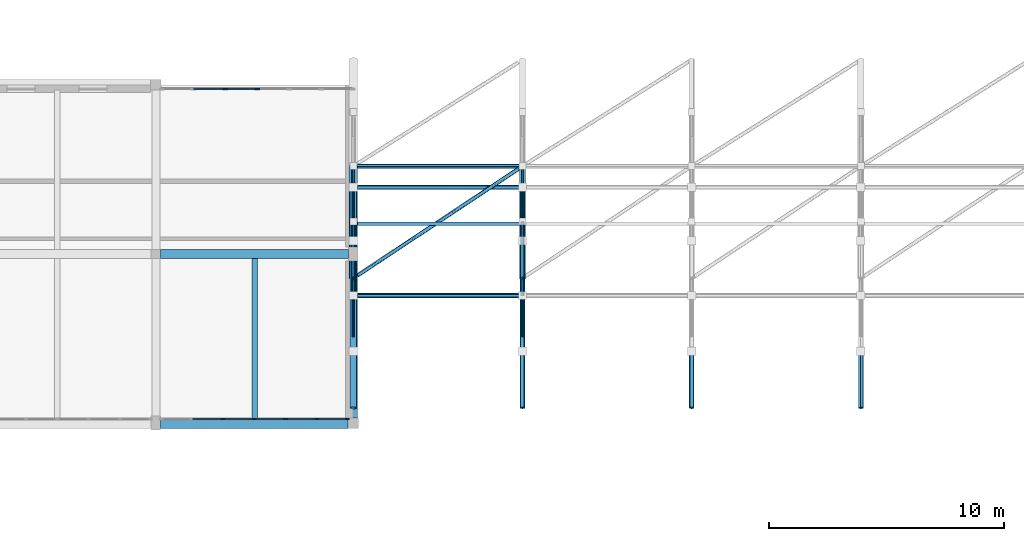
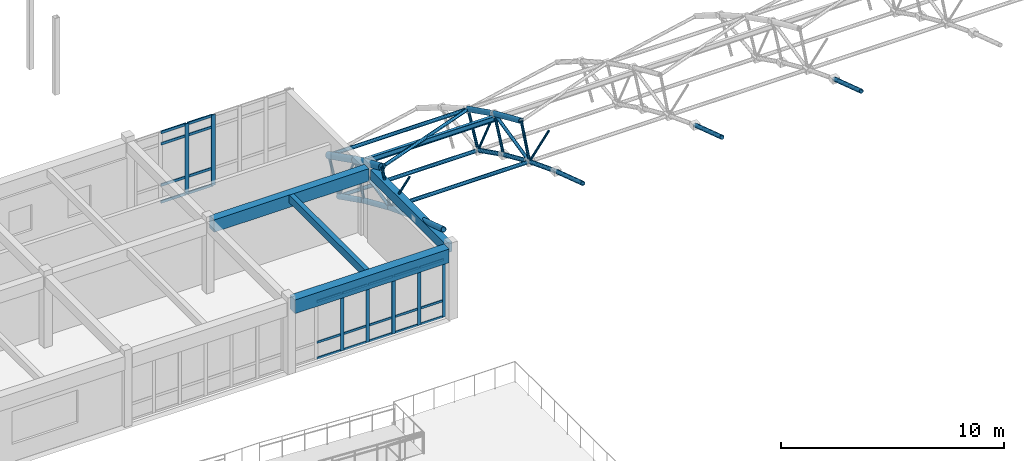
# One storey, part 55 of 89: 61 members, 4 beams, 2 elements without a shape of their own.
"""IFC4 building model written with IfcOpenShell, lengths in metres."""

from ifc_helpers import new_model, si_unit, direction, frame, origin, origin_2d, place, context, subcontext, project, spatial, rectangle, hollow_circle, i_section, extrude, material, material_profile, profile_set, type_object, element, aggregate, save


model = new_model("IFC4")

# Units and contexts
model_context = context("Model", 3, precision=1e-05, world=origin(), true_north=direction((0.0, 1.0)))
body_context = subcontext(model_context, "Body", "Model", "MODEL_VIEW")
ifc_project = project(units=[si_unit("LENGTHUNIT", "METRE"), si_unit("AREAUNIT", "SQUARE_METRE"), si_unit("VOLUMEUNIT", "CUBIC_METRE"), si_unit("PLANEANGLEUNIT", "RADIAN"), si_unit("MASSUNIT", "GRAM", prefix="KILO")], contexts=[model_context])

# Site, building, storey
site_placement = place(None, origin())
site = spatial("IfcSite", under=ifc_project, at=site_placement, CompositionType="ELEMENT")
building_placement = place(site_placement, origin())
building = spatial("IfcBuilding", under=site, at=building_placement, Name="Malvenik Polytechnic", CompositionType="ELEMENT")
storey_placement = place(building_placement, frame((0.0, 0.0, 13.5)))
storey = spatial("IfcBuildingStorey", under=building, at=storey_placement, Name="L03", CompositionType="ELEMENT", Elevation=13.5)

# Curtain wall, members
ifc_material_1 = material(Name="Anodised aluminium 6060-T6", Category="aluminium")
curtain_wall_type_1 = type_object("IfcCurtainWallType", Name="ARC-CW-CW-02", PredefinedType="NOTDEFINED", material=ifc_material_1)
curtain_wall_1_placement = place(storey_placement, origin())
curtain_wall_1 = element("IfcCurtainWall", 1, at=curtain_wall_1_placement, inside=storey, type_object=curtain_wall_type_1, Name="Unitised Curtain Wall CW-02 L03 #193", PredefinedType="NOTDEFINED")
ifc_material_2 = material(Name="Anodised aluminium", Category="aluminium")
ifc_material_profile_1 = material_profile(ifc_material_2, rectangle(XDim=0.06005859375, YDim=0.179931640625, at=origin_2d()), Name="ALU MULLION 60x180")
ifc_profile_set_1 = profile_set([ifc_material_profile_1], Name="Anodised aluminium")
member_type_1 = type_object("IfcMemberType", Name="ARC-CWM-180", PredefinedType="MULLION", material=ifc_profile_set_1)
member_1_placement = place(storey_placement, frame((134.14697265625, 79.3701171875, 0.0), z_axis=(0.0, 0.0, 1.0), x_axis=(0.0, -1.0, 0.0)))
member_1 = element("IfcMember", 2, at=member_1_placement, type_object=member_type_1, Name="CW-02 mullion 1", PredefinedType="MULLION", context=body_context, shape_type="SweptSolid", body=[
    extrude(rectangle(XDim=0.06005859375, YDim=0.179931640625, at=origin_2d()), origin(), (0.0, 0.0, 1.0), 3.159912109375),
])
member_2_placement = place(storey_placement, frame((132.84716796875, 79.3701171875, 0.0), z_axis=(0.0, 0.0, 1.0), x_axis=(0.0, -1.0, 0.0)))
member_2 = element("IfcMember", 3, at=member_2_placement, type_object=member_type_1, Name="CW-02 mullion 2", PredefinedType="MULLION", context=body_context, shape_type="SweptSolid", body=[
    extrude(rectangle(XDim=0.06005859375, YDim=0.179931640625, at=origin_2d()), origin(), (0.0, 0.0, 1.0), 3.159912109375),
])
member_3_placement = place(storey_placement, frame((131.517333984375, 79.3701171875, 0.0), z_axis=(0.0, 0.0, 1.0), x_axis=(0.0, -1.0, 0.0)))
member_3 = element("IfcMember", 4, at=member_3_placement, type_object=member_type_1, Name="CW-02 mullion 3", PredefinedType="MULLION", context=body_context, shape_type="SweptSolid", body=[
    extrude(rectangle(XDim=0.06005859375, YDim=0.179931640625, at=origin_2d()), origin(), (0.0, 0.0, 1.0), 3.159912109375),
])
member_4_placement = place(storey_placement, frame((130.1875, 79.3701171875, 0.0), z_axis=(0.0, 0.0, 1.0), x_axis=(0.0, -1.0, 0.0)))
member_4 = element("IfcMember", 5, at=member_4_placement, type_object=member_type_1, Name="CW-02 mullion 4", PredefinedType="MULLION", context=body_context, shape_type="SweptSolid", body=[
    extrude(rectangle(XDim=0.06005859375, YDim=0.179931640625, at=origin_2d()), origin(), (0.0, 0.0, 1.0), 3.159912109375),
])
member_5_placement = place(storey_placement, frame((128.857666015625, 79.3701171875, 0.0), z_axis=(0.0, 0.0, 1.0), x_axis=(0.0, -1.0, 0.0)))
member_5 = element("IfcMember", 6, at=member_5_placement, type_object=member_type_1, Name="CW-02 mullion 5", PredefinedType="MULLION", context=body_context, shape_type="SweptSolid", body=[
    extrude(rectangle(XDim=0.06005859375, YDim=0.179931640625, at=origin_2d()), origin(), (0.0, 0.0, 1.0), 3.159912109375),
])

curtain_wall_type_2 = type_object("IfcCurtainWallType", Name="ARC-CW-CW-01", PredefinedType="NOTDEFINED", material=ifc_material_1)
curtain_wall_2_placement = place(storey_placement, origin())
curtain_wall_2 = element("IfcCurtainWall", 7, at=curtain_wall_2_placement, inside=storey, type_object=curtain_wall_type_2, Name="Unitised Curtain Wall CW-01 L03 #192", PredefinedType="NOTDEFINED")
ifc_material_profile_2 = material_profile(ifc_material_2, rectangle(XDim=0.06005859375, YDim=0.199951171875, at=origin_2d()), Name="ALU MULLION 60x200")
ifc_profile_set_2 = profile_set([ifc_material_profile_2], Name="Anodised aluminium")
member_type_2 = type_object("IfcMemberType", Name="ARC-CWM-200", PredefinedType="MULLION", material=ifc_profile_set_2)
member_6_placement = place(storey_placement, frame((128.94873046875, 93.429931640625, 0.0), z_axis=(0.0, 0.0, 1.0), x_axis=(0.0, 1.0, 0.0)))
member_6 = element("IfcMember", 8, at=member_6_placement, type_object=member_type_2, Name="CW-01 mullion 3", PredefinedType="MULLION", context=body_context, shape_type="SweptSolid", body=[
    extrude(rectangle(XDim=0.06005859375, YDim=0.199951171875, at=origin_2d()), origin(), (0.0, 0.0, 1.0), 3.860107421875),
])
member_7_placement = place(storey_placement, frame((130.3115234375, 93.429931640625, 0.0), z_axis=(0.0, 0.0, 1.0), x_axis=(0.0, 1.0, 0.0)))
member_7 = element("IfcMember", 9, at=member_7_placement, type_object=member_type_2, Name="CW-01 mullion 4", PredefinedType="MULLION", context=body_context, shape_type="SweptSolid", body=[
    extrude(rectangle(XDim=0.06005859375, YDim=0.199951171875, at=origin_2d()), origin(), (0.0, 0.0, 1.0), 3.860107421875),
])

# Member
ifc_material_profile_3 = material_profile(ifc_material_2, rectangle(XDim=0.06005859375, YDim=0.1201171875, at=origin_2d()), Name="ALU TRANSOM 60x120")
ifc_profile_set_3 = profile_set([ifc_material_profile_3], Name="Anodised aluminium")
member_type_3 = type_object("IfcMemberType", Name="ARC-CWT-120", PredefinedType="USERDEFINED", material=ifc_profile_set_3)
member_8_placement = place(storey_placement, frame((134.116943359375, 79.3701171875, 0.030029296875), z_axis=(-1.0, 0.0, 0.0), x_axis=(0.0, -1.0, 0.0)))
member_8 = element("IfcMember", 10, at=member_8_placement, type_object=member_type_3, Name="CW-02 transom 1.1", ObjectType="TRANSOM", PredefinedType="USERDEFINED", context=body_context, shape_type="SweptSolid", body=[
    extrude(rectangle(XDim=0.06005859375, YDim=0.1201171875, at=origin_2d()), origin(), (0.0, 0.0, 1.0), 1.23974609375),
])

member_9_placement = place(storey_placement, frame((134.116943359375, 79.3701171875, 0.89990234375), z_axis=(-1.0, 0.0, 0.0), x_axis=(0.0, -1.0, 0.0)))
member_9 = element("IfcMember", 11, at=member_9_placement, type_object=member_type_3, Name="CW-02 transom 1.2", ObjectType="TRANSOM", PredefinedType="USERDEFINED", context=body_context, shape_type="SweptSolid", body=[
    extrude(rectangle(XDim=0.06005859375, YDim=0.1201171875, at=origin_2d()), origin(), (0.0, 0.0, 1.0), 1.23974609375),
])

member_10_placement = place(storey_placement, frame((134.116943359375, 79.3701171875, 3.1298828125), z_axis=(-1.0, 0.0, 0.0), x_axis=(0.0, -1.0, 0.0)))
member_10 = element("IfcMember", 12, at=member_10_placement, type_object=member_type_3, Name="CW-02 transom 1.3", ObjectType="TRANSOM", PredefinedType="USERDEFINED", context=body_context, shape_type="SweptSolid", body=[
    extrude(rectangle(XDim=0.06005859375, YDim=0.1201171875, at=origin_2d()), origin(), (0.0, 0.0, 1.0), 1.23974609375),
])

member_11_placement = place(storey_placement, frame((132.817138671875, 79.3701171875, 0.030029296875), z_axis=(-1.0, 0.0, 0.0), x_axis=(0.0, -1.0, 0.0)))
member_11 = element("IfcMember", 13, at=member_11_placement, type_object=member_type_3, Name="CW-02 transom 2.1", ObjectType="TRANSOM", PredefinedType="USERDEFINED", context=body_context, shape_type="SweptSolid", body=[
    extrude(rectangle(XDim=0.06005859375, YDim=0.1201171875, at=origin_2d()), origin(), (0.0, 0.0, 1.0), 1.269775390625),
])

member_12_placement = place(storey_placement, frame((132.817138671875, 79.3701171875, 0.89990234375), z_axis=(-1.0, 0.0, 0.0), x_axis=(0.0, -1.0, 0.0)))
member_12 = element("IfcMember", 14, at=member_12_placement, type_object=member_type_3, Name="CW-02 transom 2.2", ObjectType="TRANSOM", PredefinedType="USERDEFINED", context=body_context, shape_type="SweptSolid", body=[
    extrude(rectangle(XDim=0.06005859375, YDim=0.1201171875, at=origin_2d()), origin(), (0.0, 0.0, 1.0), 1.269775390625),
])

member_13_placement = place(storey_placement, frame((132.817138671875, 79.3701171875, 3.1298828125), z_axis=(-1.0, 0.0, 0.0), x_axis=(0.0, -1.0, 0.0)))
member_13 = element("IfcMember", 15, at=member_13_placement, type_object=member_type_3, Name="CW-02 transom 2.3", ObjectType="TRANSOM", PredefinedType="USERDEFINED", context=body_context, shape_type="SweptSolid", body=[
    extrude(rectangle(XDim=0.06005859375, YDim=0.1201171875, at=origin_2d()), origin(), (0.0, 0.0, 1.0), 1.269775390625),
])

member_14_placement = place(storey_placement, frame((131.4873046875, 79.3701171875, 0.030029296875), z_axis=(-1.0, 0.0, 0.0), x_axis=(0.0, -1.0, 0.0)))
member_14 = element("IfcMember", 16, at=member_14_placement, type_object=member_type_3, Name="CW-02 transom 3.1", ObjectType="TRANSOM", PredefinedType="USERDEFINED", context=body_context, shape_type="SweptSolid", body=[
    extrude(rectangle(XDim=0.06005859375, YDim=0.1201171875, at=origin_2d()), origin(), (0.0, 0.0, 1.0), 1.269775390625),
])

member_15_placement = place(storey_placement, frame((131.4873046875, 79.3701171875, 0.89990234375), z_axis=(-1.0, 0.0, 0.0), x_axis=(0.0, -1.0, 0.0)))
member_15 = element("IfcMember", 17, at=member_15_placement, type_object=member_type_3, Name="CW-02 transom 3.2", ObjectType="TRANSOM", PredefinedType="USERDEFINED", context=body_context, shape_type="SweptSolid", body=[
    extrude(rectangle(XDim=0.06005859375, YDim=0.1201171875, at=origin_2d()), origin(), (0.0, 0.0, 1.0), 1.269775390625),
])

member_16_placement = place(storey_placement, frame((131.4873046875, 79.3701171875, 3.1298828125), z_axis=(-1.0, 0.0, 0.0), x_axis=(0.0, -1.0, 0.0)))
member_16 = element("IfcMember", 18, at=member_16_placement, type_object=member_type_3, Name="CW-02 transom 3.3", ObjectType="TRANSOM", PredefinedType="USERDEFINED", context=body_context, shape_type="SweptSolid", body=[
    extrude(rectangle(XDim=0.06005859375, YDim=0.1201171875, at=origin_2d()), origin(), (0.0, 0.0, 1.0), 1.269775390625),
])

member_17_placement = place(storey_placement, frame((130.157470703125, 79.3701171875, 0.030029296875), z_axis=(-1.0, 0.0, 0.0), x_axis=(0.0, -1.0, 0.0)))
member_17 = element("IfcMember", 19, at=member_17_placement, type_object=member_type_3, Name="CW-02 transom 4.1", ObjectType="TRANSOM", PredefinedType="USERDEFINED", context=body_context, shape_type="SweptSolid", body=[
    extrude(rectangle(XDim=0.06005859375, YDim=0.1201171875, at=origin_2d()), origin(), (0.0, 0.0, 1.0), 1.269775390625),
])

member_18_placement = place(storey_placement, frame((130.157470703125, 79.3701171875, 0.89990234375), z_axis=(-1.0, 0.0, 0.0), x_axis=(0.0, -1.0, 0.0)))
member_18 = element("IfcMember", 20, at=member_18_placement, type_object=member_type_3, Name="CW-02 transom 4.2", ObjectType="TRANSOM", PredefinedType="USERDEFINED", context=body_context, shape_type="SweptSolid", body=[
    extrude(rectangle(XDim=0.06005859375, YDim=0.1201171875, at=origin_2d()), origin(), (0.0, 0.0, 1.0), 1.269775390625),
])

member_19_placement = place(storey_placement, frame((130.157470703125, 79.3701171875, 3.1298828125), z_axis=(-1.0, 0.0, 0.0), x_axis=(0.0, -1.0, 0.0)))
member_19 = element("IfcMember", 21, at=member_19_placement, type_object=member_type_3, Name="CW-02 transom 4.3", ObjectType="TRANSOM", PredefinedType="USERDEFINED", context=body_context, shape_type="SweptSolid", body=[
    extrude(rectangle(XDim=0.06005859375, YDim=0.1201171875, at=origin_2d()), origin(), (0.0, 0.0, 1.0), 1.269775390625),
])

member_20_placement = place(storey_placement, frame((128.82763671875, 79.3701171875, 0.030029296875), z_axis=(-1.0, 0.0, 0.0), x_axis=(0.0, -1.0, 0.0)))
member_20 = element("IfcMember", 22, at=member_20_placement, type_object=member_type_3, Name="CW-02 transom 5.1", ObjectType="TRANSOM", PredefinedType="USERDEFINED", context=body_context, shape_type="SweptSolid", body=[
    extrude(rectangle(XDim=0.06005859375, YDim=0.1201171875, at=origin_2d()), origin(), (0.0, 0.0, 1.0), 1.269775390625),
])

member_21_placement = place(storey_placement, frame((128.82763671875, 79.3701171875, 0.89990234375), z_axis=(-1.0, 0.0, 0.0), x_axis=(0.0, -1.0, 0.0)))
member_21 = element("IfcMember", 23, at=member_21_placement, type_object=member_type_3, Name="CW-02 transom 5.2", ObjectType="TRANSOM", PredefinedType="USERDEFINED", context=body_context, shape_type="SweptSolid", body=[
    extrude(rectangle(XDim=0.06005859375, YDim=0.1201171875, at=origin_2d()), origin(), (0.0, 0.0, 1.0), 1.269775390625),
])

member_22_placement = place(storey_placement, frame((128.82763671875, 79.3701171875, 3.1298828125), z_axis=(-1.0, 0.0, 0.0), x_axis=(0.0, -1.0, 0.0)))
member_22 = element("IfcMember", 24, at=member_22_placement, type_object=member_type_3, Name="CW-02 transom 5.3", ObjectType="TRANSOM", PredefinedType="USERDEFINED", context=body_context, shape_type="SweptSolid", body=[
    extrude(rectangle(XDim=0.06005859375, YDim=0.1201171875, at=origin_2d()), origin(), (0.0, 0.0, 1.0), 1.269775390625),
])

aggregate(curtain_wall_1, [member_1, member_2, member_3, member_4, member_5, member_8, member_9, member_10, member_11, member_12, member_13, member_14, member_15, member_16, member_17, member_18, member_19, member_20, member_21, member_22])

ifc_material_profile_4 = material_profile(ifc_material_2, rectangle(XDim=0.06005859375, YDim=0.139892578125, at=origin_2d()), Name="ALU TRANSOM 60x140")
ifc_profile_set_4 = profile_set([ifc_material_profile_4], Name="Anodised aluminium")
member_type_4 = type_object("IfcMemberType", Name="ARC-CWT-140", PredefinedType="USERDEFINED", material=ifc_profile_set_4)
member_23_placement = place(storey_placement, frame((127.61572265625, 93.429931640625, 0.030029296875), z_axis=(1.0, 0.0, 0.0), x_axis=(0.0, 1.0, 0.0)))
member_23 = element("IfcMember", 25, at=member_23_placement, type_object=member_type_4, Name="CW-01 transom 2.1", ObjectType="TRANSOM", PredefinedType="USERDEFINED", context=body_context, shape_type="SweptSolid", body=[
    extrude(rectangle(XDim=0.06005859375, YDim=0.139892578125, at=origin_2d()), origin(), (0.0, 0.0, 1.0), 1.302978515625),
])

member_24_placement = place(storey_placement, frame((127.61572265625, 93.429931640625, 0.949951171875), z_axis=(1.0, 0.0, 0.0), x_axis=(0.0, 1.0, 0.0)))
member_24 = element("IfcMember", 26, at=member_24_placement, type_object=member_type_4, Name="CW-01 transom 2.2", ObjectType="TRANSOM", PredefinedType="USERDEFINED", context=body_context, shape_type="SweptSolid", body=[
    extrude(rectangle(XDim=0.06005859375, YDim=0.139892578125, at=origin_2d()), origin(), (0.0, 0.0, 1.0), 1.302978515625),
])

member_25_placement = place(storey_placement, frame((127.61572265625, 93.429931640625, 3.2099609375), z_axis=(1.0, 0.0, 0.0), x_axis=(0.0, 1.0, 0.0)))
member_25 = element("IfcMember", 27, at=member_25_placement, type_object=member_type_4, Name="CW-01 transom 2.3", ObjectType="TRANSOM", PredefinedType="USERDEFINED", context=body_context, shape_type="SweptSolid", body=[
    extrude(rectangle(XDim=0.06005859375, YDim=0.139892578125, at=origin_2d()), origin(), (0.0, 0.0, 1.0), 1.302978515625),
])

member_26_placement = place(storey_placement, frame((127.61572265625, 93.429931640625, 3.830078125), z_axis=(1.0, 0.0, 0.0), x_axis=(0.0, 1.0, 0.0)))
member_26 = element("IfcMember", 28, at=member_26_placement, type_object=member_type_4, Name="CW-01 transom 2.4", ObjectType="TRANSOM", PredefinedType="USERDEFINED", context=body_context, shape_type="SweptSolid", body=[
    extrude(rectangle(XDim=0.06005859375, YDim=0.139892578125, at=origin_2d()), origin(), (0.0, 0.0, 1.0), 1.302978515625),
])

member_27_placement = place(storey_placement, frame((128.978759765625, 93.429931640625, 0.030029296875), z_axis=(1.0, 0.0, 0.0), x_axis=(0.0, 1.0, 0.0)))
member_27 = element("IfcMember", 29, at=member_27_placement, type_object=member_type_4, Name="CW-01 transom 3.1", ObjectType="TRANSOM", PredefinedType="USERDEFINED", context=body_context, shape_type="SweptSolid", body=[
    extrude(rectangle(XDim=0.06005859375, YDim=0.139892578125, at=origin_2d()), origin(), (0.0, 0.0, 1.0), 1.302734375),
])

member_28_placement = place(storey_placement, frame((128.978759765625, 93.429931640625, 0.949951171875), z_axis=(1.0, 0.0, 0.0), x_axis=(0.0, 1.0, 0.0)))
member_28 = element("IfcMember", 30, at=member_28_placement, type_object=member_type_4, Name="CW-01 transom 3.2", ObjectType="TRANSOM", PredefinedType="USERDEFINED", context=body_context, shape_type="SweptSolid", body=[
    extrude(rectangle(XDim=0.06005859375, YDim=0.139892578125, at=origin_2d()), origin(), (0.0, 0.0, 1.0), 1.302734375),
])

member_29_placement = place(storey_placement, frame((128.978759765625, 93.429931640625, 3.2099609375), z_axis=(1.0, 0.0, 0.0), x_axis=(0.0, 1.0, 0.0)))
member_29 = element("IfcMember", 31, at=member_29_placement, type_object=member_type_4, Name="CW-01 transom 3.3", ObjectType="TRANSOM", PredefinedType="USERDEFINED", context=body_context, shape_type="SweptSolid", body=[
    extrude(rectangle(XDim=0.06005859375, YDim=0.139892578125, at=origin_2d()), origin(), (0.0, 0.0, 1.0), 1.302734375),
])

member_30_placement = place(storey_placement, frame((128.978759765625, 93.429931640625, 3.830078125), z_axis=(1.0, 0.0, 0.0), x_axis=(0.0, 1.0, 0.0)))
member_30 = element("IfcMember", 32, at=member_30_placement, type_object=member_type_4, Name="CW-01 transom 3.4", ObjectType="TRANSOM", PredefinedType="USERDEFINED", context=body_context, shape_type="SweptSolid", body=[
    extrude(rectangle(XDim=0.06005859375, YDim=0.139892578125, at=origin_2d()), origin(), (0.0, 0.0, 1.0), 1.302734375),
])

aggregate(curtain_wall_2, [member_6, member_7, member_23, member_24, member_25, member_26, member_27, member_28, member_29, member_30])

# Beams
ifc_material_3 = material(Name="Concrete C35/45", Category="concrete")
ifc_material_profile_5 = material_profile(ifc_material_3, rectangle(XDim=0.39990234375, YDim=0.679931640625, at=origin_2d()), Name="RC BM 400x680")
ifc_profile_set_5 = profile_set([ifc_material_profile_5], Name="Concrete C35/45")
beam_type_1 = type_object("IfcBeamType", Name="STR-BM-B-05", PredefinedType="BEAM", material=ifc_profile_set_5)
beam_1_placement = place(storey_placement, frame((126.197998046875, 86.39990234375, 3.580078125), z_axis=(1.0, 0.0, 0.0), x_axis=(0.0, 1.0, 0.0)))
element("IfcBeam", 33, at=beam_1_placement, inside=storey, type_object=beam_type_1, Name="Primary Beam B-05 L03 #1661", PredefinedType="BEAM", context=body_context, shape_type="SweptSolid", body=[
    extrude(rectangle(XDim=0.39990234375, YDim=0.679931640625, at=origin_2d()), origin(), (0.0, 0.0, 1.0), 8.00390625),
])
ifc_material_profile_6 = material_profile(ifc_material_3, rectangle(XDim=0.35009765625, YDim=0.550048828125, at=origin_2d()), Name="RC BM 350x550")
ifc_profile_set_6 = profile_set([ifc_material_profile_6], Name="Concrete C35/45")
beam_type_2 = type_object("IfcBeamType", Name="STR-BM-B-08", PredefinedType="BEAM", material=ifc_profile_set_6)
beam_2_placement = place(storey_placement, frame((134.39990234375, 79.423095703125, 3.64501953125), z_axis=(0.0, 1.0, 0.0), x_axis=(-1.0, 0.0, 0.0)))
element("IfcBeam", 34, at=beam_2_placement, inside=storey, type_object=beam_type_2, Name="Transverse Beam B-08 L03 #1780", PredefinedType="BEAM", context=body_context, shape_type="SweptSolid", body=[
    extrude(rectangle(XDim=0.35009765625, YDim=0.550048828125, at=origin_2d()), origin(), (0.0, 0.0, 1.0), 6.678955078125),
])
ifc_material_4 = material(Name="Concrete C30/37", Category="concrete")
ifc_material_profile_7 = material_profile(ifc_material_4, rectangle(XDim=0.239990234375, YDim=0.419921875, at=origin_2d()), Name="RC JST 240x420")
ifc_profile_set_7 = profile_set([ifc_material_profile_7], Name="Concrete C30/37")
beam_type_3 = type_object("IfcBeamType", Name="STR-BM-J-03", PredefinedType="JOIST", material=ifc_profile_set_7)
beam_3_placement = place(storey_placement, frame((130.199951171875, 79.427978515625, 3.7099609375), z_axis=(0.0, 1.0, 0.0), x_axis=(-1.0, 0.0, 0.0)))
element("IfcBeam", 35, at=beam_3_placement, inside=storey, type_object=beam_type_3, Name="Secondary Rib Joist J-03 L03 #1824", PredefinedType="JOIST", context=body_context, shape_type="SweptSolid", body=[
    extrude(rectangle(XDim=0.239990234375, YDim=0.419921875, at=origin_2d()), origin(), (0.0, 0.0, 1.0), 6.77392578125),
])
ifc_material_5 = material(Name="Precast concrete C40/50", Category="concrete")
ifc_material_profile_8 = material_profile(ifc_material_5, rectangle(XDim=0.4599609375, YDim=0.75, at=origin_2d()), Name="PC SPN 460x750")
ifc_profile_set_8 = profile_set([ifc_material_profile_8], Name="Precast concrete C40/50")
beam_type_4 = type_object("IfcBeamType", Name="STR-BM-SP-02", PredefinedType="SPANDREL", material=ifc_profile_set_8)
beam_4_placement = place(storey_placement, frame((126.197998046875, 79.199951171875, 3.544921875), z_axis=(1.0, 0.0, 0.0), x_axis=(0.0, 1.0, 0.0)))
element("IfcBeam", 36, at=beam_4_placement, inside=storey, type_object=beam_type_4, Name="Primary Beam SP-02 L03 #1649", PredefinedType="SPANDREL", context=body_context, shape_type="SweptSolid", body=[
    extrude(rectangle(XDim=0.4599609375, YDim=0.75, at=origin_2d()), origin(), (0.0, 0.0, 1.0), 7.97900390625),
])

# Members
ifc_material_6 = material(Name="Steel S355J2H", Category="steel")
ifc_material_profile_9 = material_profile(ifc_material_6, hollow_circle(Radius=0.136474609375, WallThickness=0.010009765625, at=origin_2d()), Name="CHS 273.0x10.0")
ifc_profile_set_9 = profile_set([ifc_material_profile_9], Name="Steel S355J2H")
member_type_5 = type_object("IfcMemberType", Name="STR-MEM-SFB-01", PredefinedType="CHORD", material=ifc_profile_set_9)
for number, where, z_axis, x_axis, name in (
    (37, (134.39990234375, 79.846923828125, 4.37890625), (0.0, 0.94989908527, -0.31255675933), (-1.0, 0.0, 0.0), "Space-Frame Tube SFB-01 STR-SF-BC-0037"),
    (38, (134.39990234375, 82.2626953125, 3.583740234375), (0.0, 0.933457240212, -0.358688696079), (-1.0, 0.0, 0.0), "Space-Frame Tube SFB-01 STR-SF-BC-0039"),
):
    element("IfcMember", number, at=place(storey_placement, frame(where, z_axis=z_axis, x_axis=x_axis)), inside=storey, type_object=member_type_5, Name=name, PredefinedType="CHORD", context=body_context, shape_type="SweptSolid", body=[
        extrude(hollow_circle(Radius=0.136474609375, WallThickness=0.010009765625, at=origin_2d()), origin(), (0.0, 0.0, 1.0), 2.535400390625),
    ])
for number, where, z_axis, x_axis, name in (
    (39, (134.39990234375, 84.636962890625, 2.67138671875), (0.0, 0.914766067663, -0.403983961875), (-1.0, 0.0, 0.0), "Space-Frame Tube SFB-01 STR-SF-BC-0041"),
    (40, (134.39990234375, 86.96337890625, 1.643798828125), (0.0, 0.893983756893, -0.448099366673), (-1.0, 0.0, 0.0), "Space-Frame Tube SFB-01 STR-SF-BC-0043"),
):
    element("IfcMember", number, at=place(storey_placement, frame(where, z_axis=z_axis, x_axis=x_axis)), inside=storey, type_object=member_type_5, Name=name, PredefinedType="CHORD", context=body_context, shape_type="SweptSolid", body=[
        extrude(hollow_circle(Radius=0.136474609375, WallThickness=0.010009765625, at=origin_2d()), origin(), (0.0, 0.0, 1.0), 2.53515625),
    ])
ifc_material_profile_10 = material_profile(ifc_material_6, hollow_circle(Radius=0.109619140625, WallThickness=0.010009765625, at=origin_2d()), Name="CHS 219.1x10.0")
ifc_profile_set_10 = profile_set([ifc_material_profile_10], Name="Steel S355J2H")
member_type_6 = type_object("IfcMemberType", Name="STR-MEM-SFB-02", PredefinedType="CHORD", material=ifc_profile_set_10)
for number, where, z_axis, x_axis, name in (
    (41, (141.60009765625, 79.846923828125, 4.37890625), (0.0, 0.94989908527, -0.31255675933), (-1.0, 0.0, 0.0), "Space-Frame Tube SFB-02 STR-SF-BC-0134"),
    (42, (141.60009765625, 82.2626953125, 3.583740234375), (0.0, 0.933457240212, -0.358688696079), (-1.0, 0.0, 0.0), "Space-Frame Tube SFB-02 STR-SF-BC-0136"),
):
    element("IfcMember", number, at=place(storey_placement, frame(where, z_axis=z_axis, x_axis=x_axis)), inside=storey, type_object=member_type_6, Name=name, PredefinedType="CHORD", context=body_context, shape_type="SweptSolid", body=[
        extrude(hollow_circle(Radius=0.109619140625, WallThickness=0.010009765625, at=origin_2d()), origin(), (0.0, 0.0, 1.0), 2.535400390625),
    ])
for number, where, z_axis, x_axis, name in (
    (43, (141.60009765625, 84.636962890625, 2.67138671875), (0.0, 0.914766067663, -0.403983961875), (-1.0, 0.0, 0.0), "Space-Frame Tube SFB-02 STR-SF-BC-0138"),
    (44, (141.60009765625, 86.96337890625, 1.643798828125), (0.0, 0.893983756893, -0.448099366673), (-1.0, 0.0, 0.0), "Space-Frame Tube SFB-02 STR-SF-BC-0140"),
):
    element("IfcMember", number, at=place(storey_placement, frame(where, z_axis=z_axis, x_axis=x_axis)), inside=storey, type_object=member_type_6, Name=name, PredefinedType="CHORD", context=body_context, shape_type="SweptSolid", body=[
        extrude(hollow_circle(Radius=0.109619140625, WallThickness=0.010009765625, at=origin_2d()), origin(), (0.0, 0.0, 1.0), 2.53515625),
    ])
member_31_placement = place(storey_placement, frame((156.0, 79.846923828125, 4.37890625), z_axis=(0.0, 0.94989908527, -0.31255675933), x_axis=(-1.0, 0.0, 0.0)))
element("IfcMember", 45, at=member_31_placement, inside=storey, type_object=member_type_6, Name="Space-Frame Tube SFB-02 STR-SF-BC-0328", PredefinedType="CHORD", context=body_context, shape_type="SweptSolid", body=[
    extrude(hollow_circle(Radius=0.109619140625, WallThickness=0.010009765625, at=origin_2d()), origin(), (0.0, 0.0, 1.0), 2.535400390625),
])
ifc_material_profile_11 = material_profile(ifc_material_6, hollow_circle(Radius=0.109619140625, WallThickness=0.008056640625, at=origin_2d()), Name="CHS 219.1x8.0")
ifc_profile_set_11 = profile_set([ifc_material_profile_11], Name="Steel S355J2H")
member_type_7 = type_object("IfcMemberType", Name="STR-MEM-SFB-03", PredefinedType="CHORD", material=ifc_profile_set_11)
member_32_placement = place(storey_placement, frame((148.800048828125, 79.846923828125, 4.37890625), z_axis=(0.0, 0.94989908527, -0.31255675933), x_axis=(-1.0, 0.0, 0.0)))
element("IfcMember", 46, at=member_32_placement, inside=storey, type_object=member_type_7, Name="Space-Frame Tube SFB-03 STR-SF-BC-0231", PredefinedType="CHORD", context=body_context, shape_type="SweptSolid", body=[
    extrude(hollow_circle(Radius=0.109619140625, WallThickness=0.008056640625, at=origin_2d()), origin(), (0.0, 0.0, 1.0), 2.535400390625),
])
ifc_material_profile_12 = material_profile(ifc_material_6, hollow_circle(Radius=0.084228515625, WallThickness=0.00634765625, at=origin_2d()), Name="CHS 168.3x6.3")
ifc_profile_set_12 = profile_set([ifc_material_profile_12], Name="Steel S355J2H")
member_type_8 = type_object("IfcMemberType", Name="STR-MEM-SFD-02", PredefinedType="BRACE", material=ifc_profile_set_12)
for number, where, z_axis, x_axis, name in (
    (47, (134.39990234375, 84.63720703125, 2.673828125), (0.0, 0.975199124714, 0.221329318341), (-1.0, 0.0, 0.0), "Space-Frame Tube SFD-02 STR-SF-AD-0094"),
    (48, (141.60009765625, 84.63720703125, 2.673828125), (0.0, 0.975199124714, 0.221329318341), (-1.0, 0.0, 0.0), "Space-Frame Tube SFD-02 STR-SF-AD-0191"),
):
    element("IfcMember", number, at=place(storey_placement, frame(where, z_axis=z_axis, x_axis=x_axis)), inside=storey, type_object=member_type_8, Name=name, PredefinedType="BRACE", context=body_context, shape_type="SweptSolid", body=[
        extrude(hollow_circle(Radius=0.084228515625, WallThickness=0.00634765625, at=origin_2d()), origin(), (0.0, 0.0, 1.0), 3.21875),
    ])
member_33_placement = place(storey_placement, frame((134.577392578125, 85.485107421875, 4.397216796875), z_axis=(0.806771350276, 0.534509758283, -0.25183190162), x_axis=(-0.552310166967, 0.833638698397, 0.0)))
element("IfcMember", 49, at=member_33_placement, inside=storey, type_object=member_type_8, Name="Space-Frame Tube SFD-02 STR-SF-SD-0813", PredefinedType="BRACE", context=body_context, shape_type="SweptSolid", body=[
    extrude(hollow_circle(Radius=0.084228515625, WallThickness=0.00634765625, at=origin_2d()), origin(), (0.0, 0.0, 1.0), 8.484619140625),
])
ifc_material_profile_13 = material_profile(ifc_material_6, hollow_circle(Radius=0.06982421875, WallThickness=0.00634765625, at=origin_2d()), Name="CHS 139.7x6.3")
ifc_profile_set_13 = profile_set([ifc_material_profile_13], Name="Steel S355J2H")
member_type_9 = type_object("IfcMemberType", Name="STR-MEM-SFD-03", PredefinedType="BRACE", material=ifc_profile_set_13)
for number, where, z_axis, x_axis, name in (
    (50, (134.39990234375, 84.634765625, 2.6767578125), (0.0, 0.381447924526, 0.924390329285), (-1.0, 0.0, 0.0), "Space-Frame Tube SFD-03 STR-SF-WB-0069"),
    (51, (134.39990234375, 86.96142578125, 1.6494140625), (0.0, 0.426152750684, 0.904651221789), (-1.0, 0.0, 0.0), "Space-Frame Tube SFD-03 STR-SF-WB-0070"),
    (52, (134.39990234375, 89.2353515625, 0.509521484375), (0.0, 0.469841077687, 0.882751019097), (-1.0, 0.0, 0.0), "Space-Frame Tube SFD-03 STR-SF-WB-0071"),
    (53, (141.60009765625, 84.634765625, 2.6767578125), (0.0, 0.381447924526, 0.924390329285), (-1.0, 0.0, 0.0), "Space-Frame Tube SFD-03 STR-SF-WB-0166"),
    (54, (141.60009765625, 86.96142578125, 1.6494140625), (0.0, 0.426152750684, 0.904651221789), (-1.0, 0.0, 0.0), "Space-Frame Tube SFD-03 STR-SF-WB-0167"),
    (55, (141.60009765625, 89.2353515625, 0.509521484375), (0.0, 0.469841077687, 0.882751019097), (-1.0, 0.0, 0.0), "Space-Frame Tube SFD-03 STR-SF-WB-0168"),
):
    element("IfcMember", number, at=place(storey_placement, frame(where, z_axis=z_axis, x_axis=x_axis)), inside=storey, type_object=member_type_9, Name=name, PredefinedType="BRACE", context=body_context, shape_type="SweptSolid", body=[
        extrude(hollow_circle(Radius=0.06982421875, WallThickness=0.00634765625, at=origin_2d()), origin(), (0.0, 0.0, 1.0), 1.9169921875),
    ])
ifc_material_profile_14 = material_profile(ifc_material_6, hollow_circle(Radius=0.05712890625, WallThickness=0.0048828125, at=origin_2d()), Name="CHS 114.3x5.0")
ifc_profile_set_14 = profile_set([ifc_material_profile_14], Name="Steel S355J2H")
member_type_10 = type_object("IfcMemberType", Name="STR-MEM-SFD-04", PredefinedType="BRACE", material=ifc_profile_set_14)
for number, where, z_axis, x_axis, name in (
    (56, (134.39990234375, 82.907470703125, 5.39501953125), (0.0, 0.535476056284, -0.844550408884), (-1.0, 0.0, 0.0), "Space-Frame Tube SFD-04 STR-SF-AD-0093"),
    (57, (134.39990234375, 87.781982421875, 3.383544921875), (0.0, 0.450365953403, -0.892844055821), (-1.0, 0.0, 0.0), "Space-Frame Tube SFD-04 STR-SF-AD-0095"),
    (58, (141.60009765625, 82.907470703125, 5.39501953125), (0.0, 0.535476056284, -0.844550408884), (-1.0, 0.0, 0.0), "Space-Frame Tube SFD-04 STR-SF-AD-0190"),
    (59, (141.60009765625, 87.781982421875, 3.383544921875), (0.0, 0.450365953403, -0.892844055821), (-1.0, 0.0, 0.0), "Space-Frame Tube SFD-04 STR-SF-AD-0192"),
):
    element("IfcMember", number, at=place(storey_placement, frame(where, z_axis=z_axis, x_axis=x_axis)), inside=storey, type_object=member_type_10, Name=name, PredefinedType="BRACE", context=body_context, shape_type="SweptSolid", body=[
        extrude(hollow_circle(Radius=0.05712890625, WallThickness=0.0048828125, at=origin_2d()), origin(), (0.0, 0.0, 1.0), 3.218994140625),
    ])
ifc_material_profile_15 = material_profile(ifc_material_6, hollow_circle(Radius=0.096923828125, WallThickness=0.008056640625, at=origin_2d()), Name="CHS 193.7x8.0")
ifc_profile_set_15 = profile_set([ifc_material_profile_15], Name="Steel S355J2H")
member_type_11 = type_object("IfcMemberType", Name="STR-MEM-SFL-01", PredefinedType="CHORD", material=ifc_profile_set_15)
for number, where, z_axis, x_axis, name in (
    (60, (134.404052734375, 84.63330078125, 2.673095703125), (1.0, 0.0, 0.0), (0.0, 1.0, 0.0), "Space-Frame Tube SFL-01 STR-SF-LB-0797"),
    (61, (134.404052734375, 89.2333984375, 0.506103515625), (1.0, 0.0, 0.0), (0.0, 1.0, 0.0), "Space-Frame Tube SFL-01 STR-SF-LB-0799"),
    (62, (134.404052734375, 90.137939453125, 2.205078125), (1.0, 0.0, 0.0), (0.0, 1.0, 0.0), "Space-Frame Tube SFL-01 STR-SF-LT-0800"),
):
    element("IfcMember", number, at=place(storey_placement, frame(where, z_axis=z_axis, x_axis=x_axis)), inside=storey, type_object=member_type_11, Name=name, PredefinedType="CHORD", context=body_context, shape_type="SweptSolid", body=[
        extrude(hollow_circle(Radius=0.096923828125, WallThickness=0.008056640625, at=origin_2d()), origin(), (0.0, 0.0, 1.0), 7.19189453125),
    ])
ifc_material_7 = material(Name="Steel S355", Category="steel")
ifc_material_profile_16 = material_profile(ifc_material_7, i_section(OverallWidth=0.14990234375, OverallDepth=0.300048828125, WebThickness=0.007080078125, FlangeThickness=0.0107421875, FilletRadius=0.014892578125, at=origin_2d()), Name="IPE 300")
ifc_profile_set_16 = profile_set([ifc_material_profile_16], Name="Steel S355")
member_type_12 = type_object("IfcMemberType", Name="STR-MEM-SFP-02", PredefinedType="PURLIN", material=ifc_profile_set_16)
member_34_placement = place(storey_placement, frame((134.419921875, 87.69287109375, 3.201904296875), z_axis=(1.0, 0.0, 0.0), x_axis=(0.0, 1.0, 0.0)))
element("IfcMember", 63, at=member_34_placement, inside=storey, type_object=member_type_12, Name="Vault Roof Purlin SFP-02 #818", PredefinedType="PURLIN", context=body_context, shape_type="SweptSolid", body=[
    extrude(i_section(OverallWidth=0.14990234375, OverallDepth=0.300048828125, WebThickness=0.007080078125, FlangeThickness=0.0107421875, FilletRadius=0.014892578125, at=origin_2d()), origin(), (0.0, 0.0, 1.0), 7.16015625),
])
ifc_material_profile_17 = material_profile(ifc_material_6, hollow_circle(Radius=0.177734375, WallThickness=0.012451171875, at=origin_2d()), Name="CHS 355.6x12.5")
ifc_profile_set_17 = profile_set([ifc_material_profile_17], Name="Steel S355J2H")
member_type_13 = type_object("IfcMemberType", Name="STR-MEM-SFT-01", PredefinedType="CHORD", material=ifc_profile_set_17)
for number, where, z_axis, x_axis, name in (
    (64, (134.39990234375, 85.37109375, 4.450927734375), (0.0, 0.914796734349, -0.403914514253), (-1.0, 0.0, 0.0), "Space-Frame Tube SFT-01 STR-SF-TC-0042"),
    (65, (134.39990234375, 87.78369140625, 3.385498046875), (0.0, 0.893943858367, -0.448178957659), (-1.0, 0.0, 0.0), "Space-Frame Tube SFT-01 STR-SF-TC-0044"),
):
    element("IfcMember", number, at=place(storey_placement, frame(where, z_axis=z_axis, x_axis=x_axis)), inside=storey, type_object=member_type_13, Name=name, PredefinedType="CHORD", context=body_context, shape_type="SweptSolid", body=[
        extrude(hollow_circle(Radius=0.177734375, WallThickness=0.012451171875, at=origin_2d()), origin(), (0.0, 0.0, 1.0), 2.62939453125),
    ])
ifc_material_profile_18 = material_profile(ifc_material_6, hollow_circle(Radius=0.136474609375, WallThickness=0.012451171875, at=origin_2d()), Name="CHS 273.0x12.5")
ifc_profile_set_18 = profile_set([ifc_material_profile_18], Name="Steel S355J2H")
member_type_14 = type_object("IfcMemberType", Name="STR-MEM-SFT-02", PredefinedType="CHORD", material=ifc_profile_set_18)
for number, where, z_axis, x_axis, name in (
    (66, (141.60009765625, 85.37109375, 4.450927734375), (0.0, 0.914796734349, -0.403914514253), (-1.0, 0.0, 0.0), "Space-Frame Tube SFT-02 STR-SF-TC-0139"),
    (67, (141.60009765625, 87.78369140625, 3.385498046875), (0.0, 0.893943858367, -0.448178957659), (-1.0, 0.0, 0.0), "Space-Frame Tube SFT-02 STR-SF-TC-0141"),
):
    element("IfcMember", number, at=place(storey_placement, frame(where, z_axis=z_axis, x_axis=x_axis)), inside=storey, type_object=member_type_14, Name=name, PredefinedType="CHORD", context=body_context, shape_type="SweptSolid", body=[
        extrude(hollow_circle(Radius=0.136474609375, WallThickness=0.012451171875, at=origin_2d()), origin(), (0.0, 0.0, 1.0), 2.62939453125),
    ])

save(model, "model.ifc")
